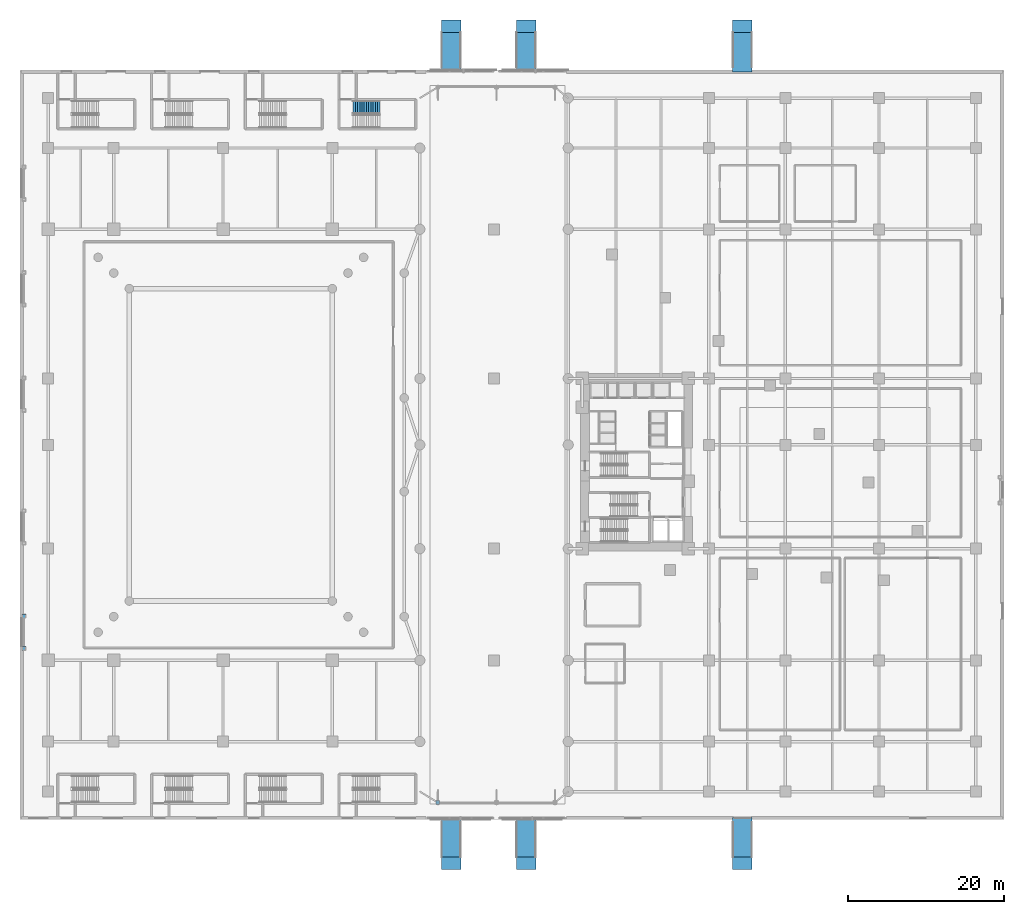
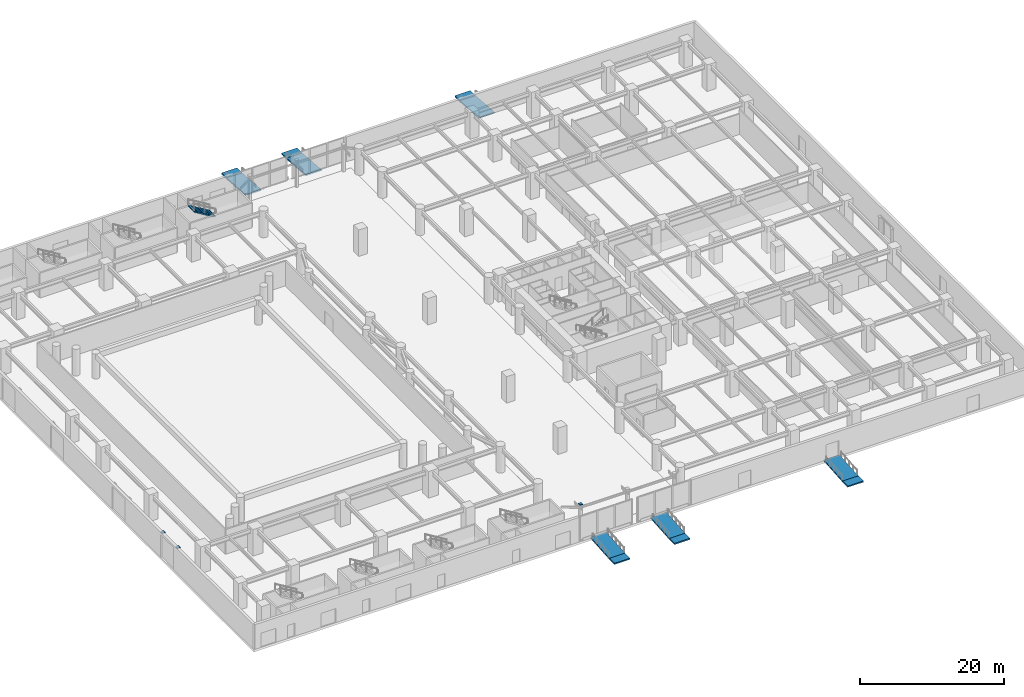
# One storey, part 28 of 42: 6 ramps, 6 ramp flights, 3 discrete accessories, 1 stair flight, 1 element without a shape of its own.
"""IFC4 building model written with IfcOpenShell, lengths in metres."""

import ifcopenshell
import ifcopenshell.guid

model = None  # the IFC model being written
_history = None  # IfcOwnerHistory: only IFC2X3 demands one
_inside = {}  # id of a spatial element -> (the spatial element, [elements in it])
_under = {}  # id of a project, library or spatial element -> (it, [spatial elements below it])
_declared = {}  # id of a project -> (the project, [libraries it declares])
_typed = {}  # id of a type object -> (the type object, [elements of that type])
_made_of = {}  # id of a material, layer set ... -> (it, [elements and type objects made of it])


def new_model(schema):
    """Start an empty IFC model of exactly this schema.

    Asked for "IFC4X3", IfcOpenShell would pick the latest addendum, in which some entities
    have other attributes; the version numbers below select the first issue.
    IFC2X3 requires an IfcOwnerHistory on every rooted entity: one is made here for all.
    """
    global model, _history
    if schema == "IFC4X3":
        model = ifcopenshell.file(schema_version=(4, 3, 0, 0))
    else:
        model = ifcopenshell.file(schema=schema)
    _inside.clear()
    _under.clear()
    _declared.clear()
    _typed.clear()
    _made_of.clear()
    _history = None
    if model.schema == "IFC2X3":
        org = make("IfcOrganization", Name="unknown")
        user = make(
            "IfcPersonAndOrganization",
            ThePerson=make("IfcPerson", FamilyName="unknown"),
            TheOrganization=org,
        )
        app = make(
            "IfcApplication",
            ApplicationDeveloper=org,
            Version="unknown",
            ApplicationFullName="unknown",
            ApplicationIdentifier="unknown",
        )
        _history = make(
            "IfcOwnerHistory",
            OwningUser=user,
            OwningApplication=app,
            ChangeAction="ADDED",
            CreationDate=0,
        )
    return model


def make(cls, **values):
    """One entity of the class cls with the attributes given. An attribute that is None is left unset."""
    return model.create_entity(
        cls, **{name: value for name, value in values.items() if value is not None}
    )


def rooted(cls, **values):
    """An entity with a GlobalId (a new one), such as an element, a storey or a relation."""
    return make(cls, GlobalId=ifcopenshell.guid.new(), OwnerHistory=_history, **values)


def si_unit(unit_type, name, prefix=None):
    """IfcSIUnit, for example si_unit("LENGTHUNIT", "METRE", prefix="MILLI")."""
    return make("IfcSIUnit", UnitType=unit_type, Prefix=prefix, Name=name)


def assignment(units):
    """IfcUnitAssignment: the units of a project."""
    return None if units is None else make("IfcUnitAssignment", Units=units)


def point(xyz):
    """IfcCartesianPoint."""
    return None if xyz is None else make("IfcCartesianPoint", Coordinates=xyz)


def direction(xyz):
    """IfcDirection."""
    return None if xyz is None else make("IfcDirection", DirectionRatios=xyz)


def frame(location, z_axis=None, x_axis=None):
    """IfcAxis2Placement3D, a coordinate frame: its origin and axes. An axis left out is left unset."""
    return make(
        "IfcAxis2Placement3D",
        Location=point(location),
        Axis=direction(z_axis),
        RefDirection=direction(x_axis),
    )


def frame_2d(location, x_axis=None):
    """IfcAxis2Placement2D, a coordinate frame in the plane: its origin and x axis."""
    return make(
        "IfcAxis2Placement2D", Location=point(location), RefDirection=direction(x_axis)
    )


def origin():
    """The frame at (0, 0, 0) with its axes left unset."""
    return frame((0.0, 0.0, 0.0))


def origin_2d():
    """The frame at (0, 0) in the plane with its x axis left unset."""
    return frame_2d((0.0, 0.0))


def place(relative_to, where):
    """IfcLocalPlacement: puts the frame where relative to a parent placement (None: the world)."""
    return make(
        "IfcLocalPlacement", PlacementRelTo=relative_to, RelativePlacement=where
    )


def context(
    kind, dimensions, precision=None, world=None, true_north=None, identifier=None
):
    """IfcGeometricRepresentationContext, for example the 3D "Model" context."""
    return make(
        "IfcGeometricRepresentationContext",
        ContextIdentifier=identifier,
        ContextType=kind,
        CoordinateSpaceDimension=dimensions,
        Precision=precision,
        WorldCoordinateSystem=world,
        TrueNorth=true_north,
    )


def subcontext(parent, identifier, kind, view, scale=None):
    """IfcGeometricRepresentationSubContext, for example "Body" below "Model"."""
    return make(
        "IfcGeometricRepresentationSubContext",
        ContextIdentifier=identifier,
        ContextType=kind,
        ParentContext=parent,
        TargetScale=scale,
        TargetView=view,
    )


def project(units=None, contexts=None):
    """IfcProject with its units and contexts."""
    return rooted(
        "IfcProject",
        Name="project",
        RepresentationContexts=contexts,
        UnitsInContext=assignment(units),
    )


def spatial(cls, under=None, at=None, **own):
    """A site, building, storey or space (cls), placed at a placement, below another one or the project."""
    s = rooted(cls, ObjectPlacement=at, **own)
    if under is not None:
        _under.setdefault(under.id(), (under, []))[1].append(s)
    return s


def polyline(points):
    """IfcPolyline through the points."""
    return make("IfcPolyline", Points=[point(p) for p in points])


def profile(cls, at=None, kind="AREA", **sizes):
    """A parametric profile (cls). Its sizes go by their IFC names, for example OverallWidth=200.0."""
    return make(cls, ProfileType=kind, Position=at, **sizes)


def rectangle(**sizes):
    """IfcRectangleProfileDef."""
    return profile("IfcRectangleProfileDef", **sizes)


def outline(outer, holes=None, kind="AREA"):
    """IfcArbitraryClosedProfileDef: a profile drawn as a closed curve; with holes, ...WithVoids."""
    if holes is None:
        return make("IfcArbitraryClosedProfileDef", ProfileType=kind, OuterCurve=outer)
    return make(
        "IfcArbitraryProfileDefWithVoids",
        ProfileType=kind,
        OuterCurve=outer,
        InnerCurves=holes,
    )


def extrude(swept, where, along, depth):
    """IfcExtrudedAreaSolid: the profile swept, set in the frame where, extruded along a direction by depth."""
    return make(
        "IfcExtrudedAreaSolid",
        SweptArea=swept,
        Position=where,
        ExtrudedDirection=direction(along),
        Depth=depth,
    )


def shape(context_of_items, identifier, shape_type, items):
    """IfcShapeRepresentation: the items that make up one representation, for example the "Body"."""
    return make(
        "IfcShapeRepresentation",
        ContextOfItems=context_of_items,
        RepresentationIdentifier=identifier,
        RepresentationType=shape_type,
        Items=items,
    )


def material(Name=None, Category=None):
    """IfcMaterial."""
    return make("IfcMaterial", Name=Name, Category=Category)


def layer(
    of_material, thickness, ventilated=None, Name=None, Category=None, Priority=None
):
    """IfcMaterialLayer: one layer of a wall or slab, of a material (None: an air gap)."""
    return make(
        "IfcMaterialLayer",
        Material=of_material,
        LayerThickness=thickness,
        IsVentilated=ventilated,
        Name=Name,
        Category=Category,
        Priority=Priority,
    )


def layer_set(layers, Name=None):
    """IfcMaterialLayerSet."""
    return make("IfcMaterialLayerSet", MaterialLayers=layers, LayerSetName=Name)


def made_of(thing, what):
    """Note that an element or type object is made of a material, layer set ...; save() writes the relation."""
    if what is not None:
        _made_of.setdefault(what.id(), (what, []))[1].append(thing)
    return thing


def type_object(cls, material=None, **own):
    """A type object (cls), such as IfcWallType, which elements share."""
    return made_of(rooted(cls, **own), material)


def element(
    cls,
    number,
    at=None,
    inside=None,
    cuts=None,
    type_object=None,
    material=None,
    context=None,
    identifier="Body",
    shape_type=None,
    held_by="IfcProductDefinitionShape",
    body=None,
    shapes=None,
    **own,
):
    """One element of the class cls, such as IfcWall. Its Tag is "e" and its number.

    at: its placement. inside: the storey or other place that contains it. cuts: it is an
    opening in that element (IfcRelVoidsElement). A single representation is given by context,
    identifier, shape_type and body (its items); several are given by shapes. held_by: the class
    of the entity that holds the representations. save() writes the other relations.
    """
    e = rooted(cls, Tag="e%d" % number, ObjectPlacement=at, **own)
    if body is not None:
        shapes = [shape(context, identifier, shape_type, body)]
    if shapes is not None:
        e.Representation = make(held_by, Representations=shapes)
    if inside is not None:
        _inside.setdefault(inside.id(), (inside, []))[1].append(e)
    if cuts is not None:
        rooted(
            "IfcRelVoidsElement", RelatingBuildingElement=cuts, RelatedOpeningElement=e
        )
    if type_object is not None:
        _typed.setdefault(type_object.id(), (type_object, []))[1].append(e)
    return made_of(e, material)


def aggregate(whole, parts):
    """IfcRelAggregates: a whole, such as a stair, and the parts it consists of."""
    return rooted("IfcRelAggregates", RelatingObject=whole, RelatedObjects=parts)


def save(model, path):
    """Write the relations noted so far, then the file.

    IfcRelAggregates (storeys below a building ...), IfcRelContainedInSpatialStructure (elements
    in a storey), IfcRelDefinesByType, IfcRelAssociatesMaterial and IfcRelDeclares: one each for
    every whole, place, type object, material and project.
    """
    for whole, parts in _under.values():
        aggregate(whole, parts)
    for where, things in _inside.values():
        rooted(
            "IfcRelContainedInSpatialStructure",
            RelatedElements=things,
            RelatingStructure=where,
        )
    for kind, things in _typed.values():
        rooted("IfcRelDefinesByType", RelatedObjects=things, RelatingType=kind)
    for what, things in _made_of.values():
        rooted("IfcRelAssociatesMaterial", RelatedObjects=things, RelatingMaterial=what)
    for by, libraries in _declared.values():
        rooted("IfcRelDeclares", RelatingContext=by, RelatedDefinitions=libraries)
    model.write(path)


model = new_model("IFC4")

# Units and contexts
model_context = context("Model", 3, precision=1e-05, world=origin(), true_north=direction((0.0, 1.0)))
body_context = subcontext(model_context, "Body", "Model", "MODEL_VIEW")
ifc_project = project(units=[si_unit("LENGTHUNIT", "METRE"), si_unit("AREAUNIT", "SQUARE_METRE"), si_unit("VOLUMEUNIT", "CUBIC_METRE"), si_unit("PLANEANGLEUNIT", "RADIAN"), si_unit("MASSUNIT", "GRAM", prefix="KILO")], contexts=[model_context])

# Site, building, storey
site_placement = place(None, origin())
site = spatial("IfcSite", under=ifc_project, at=site_placement, CompositionType="ELEMENT")
building_placement = place(site_placement, origin())
building = spatial("IfcBuilding", under=site, at=building_placement, Name="Narakoshi Arena Tower", CompositionType="ELEMENT")
storey_placement = place(building_placement, origin())
storey = spatial("IfcBuildingStorey", under=building, at=storey_placement, Name="L00", CompositionType="ELEMENT", Elevation=0.0)

# Stair, stair flight
ifc_material_1 = material(Name="Concrete C45/55", Category="concrete")
stair_type = type_object("IfcStairType", Name="STR-ARN-2400", PredefinedType="TWO_STRAIGHT_RUN_STAIR", material=ifc_material_1)
stair_placement = place(storey_placement, origin())
stair = element("IfcStair", 1, at=stair_placement, inside=storey, type_object=stair_type, Name="L00 Arena Crowd Escape Stair AST8", PredefinedType="TWO_STRAIGHT_RUN_STAIR")
ifc_material_2 = material(Name="Precast concrete C45/55", Category="concrete")
stair_flight_type = type_object("IfcStairFlightType", Name="FLT-240-150", PredefinedType="STRAIGHT", material=ifc_material_2)
stair_flight_placement = place(storey_placement, frame((46.070068359375, 91.22509765625, 2.25), z_axis=(0.0, 0.0, 1.0), x_axis=(-1.0, 0.0, 0.0)))
stair_flight = element("IfcStairFlight", 2, at=stair_flight_placement, type_object=stair_flight_type, Name="AST8 flight 2", NumberOfRisers=13, NumberOfTreads=12, PredefinedType="STRAIGHT", RiserHeight=0.173076923, TreadLength=0.285, context=body_context, shape_type="SweptSolid", body=[
    extrude(outline(polyline([(0.0, 0.0), (0.0, 0.173095703125), (0.284912109375, 0.173095703125), (0.284912109375, 0.34619140625), (0.570068359375, 0.34619140625), (0.570068359375, 0.519287109375), (0.85498046875, 0.519287109375), (0.85498046875, 0.6923828125), (1.139892578125, 0.6923828125), (1.139892578125, 0.865478515625), (1.425048828125, 0.865478515625), (1.425048828125, 1.03857421875), (1.7099609375, 1.03857421875), (1.7099609375, 1.21142578125), (1.9951171875, 1.21142578125), (1.9951171875, 1.384521484375), (2.280029296875, 1.384521484375), (2.280029296875, 1.5576171875), (2.56494140625, 1.5576171875), (2.56494140625, 1.730712890625), (2.85009765625, 1.730712890625), (2.85009765625, 1.90380859375), (3.135009765625, 1.90380859375), (3.135009765625, 2.076904296875), (3.419921875, 2.076904296875), (3.419921875, 2.25), (3.419921875, 1.901611328125), (0.288818359375, 0.0), (0.0, 0.0)])), frame((0.0, 0.824951171875, 0.0), z_axis=(0.0, -1.0, 0.0), x_axis=(1.0, 0.0, 0.0)), (0.0, 0.0, 1.0), 1.64990234375),
])
aggregate(stair, [stair_flight])

# Ramp flight
ifc_material_3 = material(Name="Concrete C40/50", Category="concrete")
ifc_layer = layer(ifc_material_3, 0.219970703125)
ifc_layer_set = layer_set([ifc_layer], Name="Concrete C40/50")
ramp_flight_type = type_object("IfcRampFlightType", Name="RMF-ACC-1800", PredefinedType="STRAIGHT", material=ifc_layer_set)
ramp_flight_1_placement = place(storey_placement, frame((55.199951171875, -5.0, -0.510009765625), z_axis=(0.0, 0.997144108616, 0.075522358622), x_axis=(-1.0, 0.0, 0.0)))
ramp_flight_1 = element("IfcRampFlight", 3, at=ramp_flight_1_placement, type_object=ramp_flight_type, Name="L00 Accessible Ramp Flight RMP-S1", PredefinedType="STRAIGHT", context=body_context, shape_type="SweptSolid", body=[
    extrude(rectangle(XDim=2.5, YDim=0.219970703125, at=origin_2d()), origin(), (0.0, 0.0, 1.0), 5.295166015625),
])

ramp_flight_2_placement = place(storey_placement, frame((64.800048828125, -5.0, -0.510009765625), z_axis=(0.0, 0.997144108616, 0.075522358622), x_axis=(-1.0, 0.0, 0.0)))
ramp_flight_2 = element("IfcRampFlight", 4, at=ramp_flight_2_placement, type_object=ramp_flight_type, Name="L00 Accessible Ramp Flight RMP-S2", PredefinedType="STRAIGHT", context=body_context, shape_type="SweptSolid", body=[
    extrude(rectangle(XDim=2.5, YDim=0.219970703125, at=origin_2d()), origin(), (0.0, 0.0, 1.0), 5.295166015625),
])

ramp_flight_3_placement = place(storey_placement, frame((92.5, -5.0, -0.510009765625), z_axis=(0.0, 0.997144108616, 0.075522358622), x_axis=(-1.0, 0.0, 0.0)))
ramp_flight_3 = element("IfcRampFlight", 5, at=ramp_flight_3_placement, type_object=ramp_flight_type, Name="L00 Accessible Ramp Flight RMP-S3", PredefinedType="STRAIGHT", context=body_context, shape_type="SweptSolid", body=[
    extrude(rectangle(XDim=2.5, YDim=0.219970703125, at=origin_2d()), origin(), (0.0, 0.0, 1.0), 5.295166015625),
])

ramp_flight_4_placement = place(storey_placement, frame((55.199951171875, 101.0, -0.510009765625), z_axis=(0.0, -0.997144108616, 0.075522358622), x_axis=(1.0, 0.0, 0.0)))
ramp_flight_4 = element("IfcRampFlight", 6, at=ramp_flight_4_placement, type_object=ramp_flight_type, Name="L00 Accessible Ramp Flight RMP-N1", PredefinedType="STRAIGHT", context=body_context, shape_type="SweptSolid", body=[
    extrude(rectangle(XDim=2.5, YDim=0.219970703125, at=origin_2d()), origin(), (0.0, 0.0, 1.0), 5.295166015625),
])

ramp_flight_5_placement = place(storey_placement, frame((64.800048828125, 101.0, -0.510009765625), z_axis=(0.0, -0.997144108616, 0.075522358622), x_axis=(1.0, 0.0, 0.0)))
ramp_flight_5 = element("IfcRampFlight", 7, at=ramp_flight_5_placement, type_object=ramp_flight_type, Name="L00 Accessible Ramp Flight RMP-N2", PredefinedType="STRAIGHT", context=body_context, shape_type="SweptSolid", body=[
    extrude(rectangle(XDim=2.5, YDim=0.219970703125, at=origin_2d()), origin(), (0.0, 0.0, 1.0), 5.295166015625),
])

ramp_flight_6_placement = place(storey_placement, frame((92.5, 101.0, -0.510009765625), z_axis=(0.0, -0.997144108616, 0.075522358622), x_axis=(1.0, 0.0, 0.0)))
ramp_flight_6 = element("IfcRampFlight", 8, at=ramp_flight_6_placement, type_object=ramp_flight_type, Name="L00 Accessible Ramp Flight RMP-N3", PredefinedType="STRAIGHT", context=body_context, shape_type="SweptSolid", body=[
    extrude(rectangle(XDim=2.5, YDim=0.219970703125, at=origin_2d()), origin(), (0.0, 0.0, 1.0), 5.295166015625),
])

# Ramp
ramp_type = type_object("IfcRampType", Name="RMP-ACC-1800", PredefinedType="STRAIGHT_RUN_RAMP", material=ifc_material_3)
ramp_1_placement = place(storey_placement, frame((0.0, 0.0, -0.6201171875)))
ramp_1 = element("IfcRamp", 9, at=ramp_1_placement, inside=storey, type_object=ramp_type, Name="L00 Step-Free 1:12 Accessible Entrance Ramp RMP-S1", PredefinedType="STRAIGHT_RUN_RAMP", context=body_context, shape_type="SweptSolid", body=[
    extrude(outline(polyline([(53.949951171875, -6.39990234375), (56.449951171875, -6.39990234375), (56.449951171875, -4.800048828125), (53.949951171875, -4.800048828125), (53.949951171875, -6.39990234375)])), origin(), (0.0, 0.0, 1.0), 0.22021484375),
])

aggregate(ramp_1, [ramp_flight_1])

ramp_2_placement = place(storey_placement, frame((0.0, 0.0, -0.6201171875)))
ramp_2 = element("IfcRamp", 10, at=ramp_2_placement, inside=storey, type_object=ramp_type, Name="L00 Step-Free 1:12 Accessible Entrance Ramp RMP-S2", PredefinedType="STRAIGHT_RUN_RAMP", context=body_context, shape_type="SweptSolid", body=[
    extrude(outline(polyline([(63.550048828125, -6.39990234375), (66.050048828125, -6.39990234375), (66.050048828125, -4.800048828125), (63.550048828125, -4.800048828125), (63.550048828125, -6.39990234375)])), origin(), (0.0, 0.0, 1.0), 0.22021484375),
])

aggregate(ramp_2, [ramp_flight_2])

ramp_3_placement = place(storey_placement, frame((0.0, 0.0, -0.6201171875)))
ramp_3 = element("IfcRamp", 11, at=ramp_3_placement, inside=storey, type_object=ramp_type, Name="L00 Step-Free 1:12 Accessible Entrance Ramp RMP-S3", PredefinedType="STRAIGHT_RUN_RAMP", context=body_context, shape_type="SweptSolid", body=[
    extrude(outline(polyline([(91.25, -6.39990234375), (93.75, -6.39990234375), (93.75, -4.800048828125), (91.25, -4.800048828125), (91.25, -6.39990234375)])), origin(), (0.0, 0.0, 1.0), 0.22021484375),
])

aggregate(ramp_3, [ramp_flight_3])

ramp_4_placement = place(storey_placement, frame((0.0, 0.0, -0.6201171875)))
ramp_4 = element("IfcRamp", 12, at=ramp_4_placement, inside=storey, type_object=ramp_type, Name="L00 Step-Free 1:12 Accessible Entrance Ramp RMP-N1", PredefinedType="STRAIGHT_RUN_RAMP", context=body_context, shape_type="SweptSolid", body=[
    extrude(outline(polyline([(53.949951171875, 100.800048828125), (56.449951171875, 100.800048828125), (56.449951171875, 102.39990234375), (53.949951171875, 102.39990234375), (53.949951171875, 100.800048828125)])), origin(), (0.0, 0.0, 1.0), 0.22021484375),
])

aggregate(ramp_4, [ramp_flight_4])

ramp_5_placement = place(storey_placement, frame((0.0, 0.0, -0.6201171875)))
ramp_5 = element("IfcRamp", 13, at=ramp_5_placement, inside=storey, type_object=ramp_type, Name="L00 Step-Free 1:12 Accessible Entrance Ramp RMP-N2", PredefinedType="STRAIGHT_RUN_RAMP", context=body_context, shape_type="SweptSolid", body=[
    extrude(outline(polyline([(63.550048828125, 100.800048828125), (66.050048828125, 100.800048828125), (66.050048828125, 102.39990234375), (63.550048828125, 102.39990234375), (63.550048828125, 100.800048828125)])), origin(), (0.0, 0.0, 1.0), 0.22021484375),
])

aggregate(ramp_5, [ramp_flight_5])

ramp_6_placement = place(storey_placement, frame((0.0, 0.0, -0.6201171875)))
ramp_6 = element("IfcRamp", 14, at=ramp_6_placement, inside=storey, type_object=ramp_type, Name="L00 Step-Free 1:12 Accessible Entrance Ramp RMP-N3", PredefinedType="STRAIGHT_RUN_RAMP", context=body_context, shape_type="SweptSolid", body=[
    extrude(outline(polyline([(91.25, 100.800048828125), (93.75, 100.800048828125), (93.75, 102.39990234375), (91.25, 102.39990234375), (91.25, 100.800048828125)])), origin(), (0.0, 0.0, 1.0), 0.22021484375),
])

aggregate(ramp_6, [ramp_flight_6])

# Discrete accessories
ifc_material_4 = material(Name="Structural steel S460ML", Category="steel")
discrete_accessory_type = type_object("IfcDiscreteAccessoryType", Name="ACC-GUS-PLT", PredefinedType="BRACKET", material=ifc_material_4)
for number, where, z_axis, x_axis, name in (
    (15, (53.5, 2.199951171875, 4.490234375), (0.0, 0.0, 1.0), (1.0, 0.0, 0.0), "L00 Canopy Column Top Cap Plate CAN01"),
    (16, (0.52001953125, 26.070068359375, 3.81005859375), (0.0, 0.0, 1.0), (1.0, 0.0, 0.0), "L00 Shutter Jamb Post Top Cap Plate 05N"),
    (17, (0.52001953125, 21.909912109375, 3.81005859375), (0.0, 0.0, 1.0), (1.0, 0.0, 0.0), "L00 Shutter Jamb Post Top Cap Plate 05S"),
):
    element("IfcDiscreteAccessory", number, at=place(storey_placement, frame(where, z_axis=z_axis, x_axis=x_axis)), inside=storey, type_object=discrete_accessory_type, Name=name, PredefinedType="BRACKET", context=body_context, shape_type="SweptSolid", body=[
        extrude(rectangle(XDim=0.47998046875, YDim=0.47998046875, at=origin_2d()), origin(), (0.0, 0.0, 1.0), 0.139892578125),
    ])

save(model, "model.ifc")
